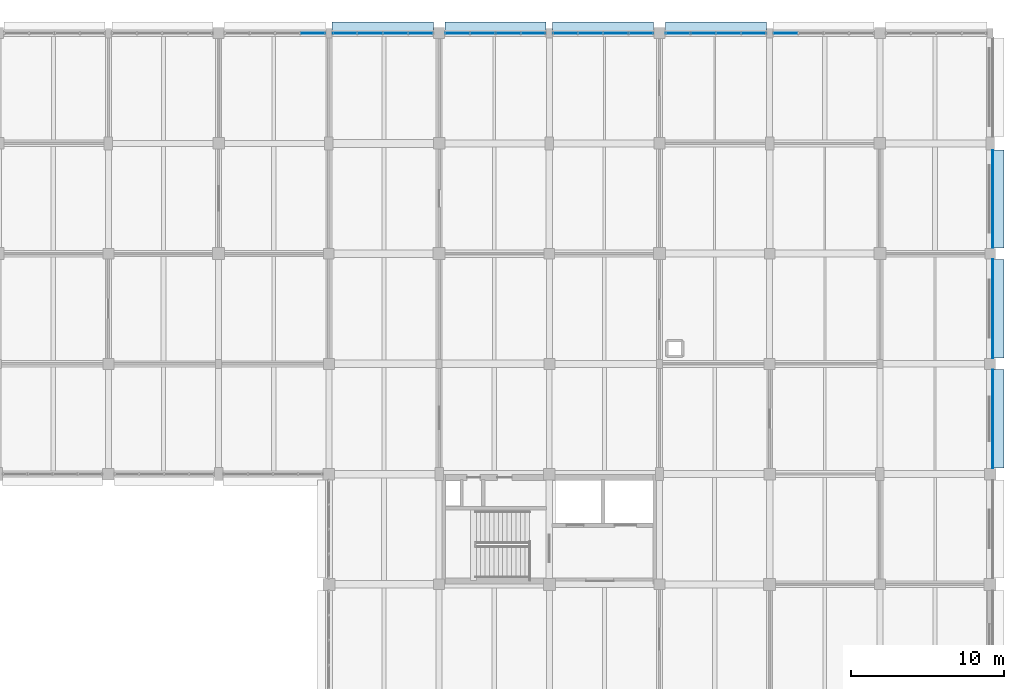
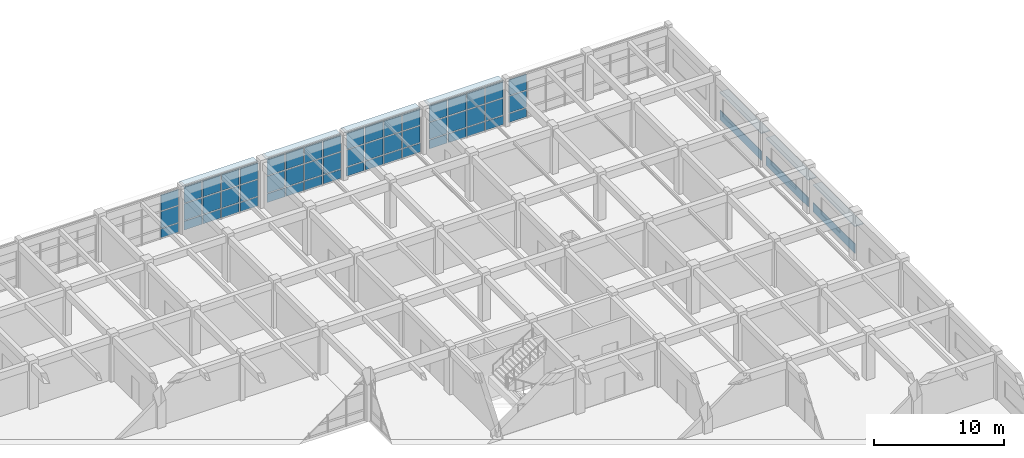
# One storey, part 145 of 171: 64 plates, 6 elements without a shape of their own.
"""IFC4 building model written with IfcOpenShell, lengths in metres."""

from ifc_helpers import new_model, si_unit, direction, frame, origin, origin_2d, place, context, subcontext, project, spatial, rectangle, extrude, material, layer, layer_set, type_object, element, aggregate, save


model = new_model("IFC4")

# Units and contexts
model_context = context("Model", 3, precision=1e-05, world=origin(), true_north=direction((0.0, 1.0)))
body_context = subcontext(model_context, "Body", "Model", "MODEL_VIEW")
ifc_project = project(units=[si_unit("LENGTHUNIT", "METRE"), si_unit("AREAUNIT", "SQUARE_METRE"), si_unit("VOLUMEUNIT", "CUBIC_METRE"), si_unit("PLANEANGLEUNIT", "RADIAN"), si_unit("MASSUNIT", "GRAM", prefix="KILO")], contexts=[model_context])

# Site, building, storey
site_placement = place(None, origin())
site = spatial("IfcSite", under=ifc_project, at=site_placement, CompositionType="ELEMENT")
building_placement = place(site_placement, origin())
building = spatial("IfcBuilding", under=site, at=building_placement, Name="Thalmaran Polytechnic", CompositionType="ELEMENT")
storey_placement = place(building_placement, frame((0.0, 0.0, 5.39990234375)))
storey = spatial("IfcBuildingStorey", under=building, at=storey_placement, Name="L01", CompositionType="ELEMENT", Elevation=5.39990234375)

# Plates
ifc_material_1 = material(Name="Anodised aluminium spandrel band", Category="aluminium")
ifc_layer_1 = layer(ifc_material_1, 0.054931640625, Name="Anodised aluminium spandrel band")
ifc_layer_set_1 = layer_set([ifc_layer_1], Name="Anodised aluminium spandrel band")
plate_type_1 = type_object("IfcPlateType", Name="PT-BD01", PredefinedType="SHEET", material=ifc_layer_set_1)
plate_1_placement = place(storey_placement, frame((172.97998046875, 111.5625, 0.020263671875), z_axis=(0.0, 0.0, 1.0), x_axis=(0.0, -1.0, 0.0)))
element("IfcPlate", 1, at=plate_1_placement, inside=storey, type_object=plate_type_1, Name="Streamline Horizontal Spandrel Band L01-053", PredefinedType="SHEET", context=body_context, shape_type="SweptSolid", body=[
    extrude(rectangle(XDim=6.385009765625, YDim=0.054931640625, at=origin_2d()), origin(), (0.0, 0.0, 1.0), 0.8798828125),
])
plate_2_placement = place(storey_placement, frame((172.97998046875, 104.405029296875, 0.020263671875), z_axis=(0.0, 0.0, 1.0), x_axis=(0.0, -1.0, 0.0)))
element("IfcPlate", 2, at=plate_2_placement, inside=storey, type_object=plate_type_1, Name="Streamline Horizontal Spandrel Band L01-054", PredefinedType="SHEET", context=body_context, shape_type="SweptSolid", body=[
    extrude(rectangle(XDim=6.449951171875, YDim=0.054931640625, at=origin_2d()), origin(), (0.0, 0.0, 1.0), 0.8798828125),
])
plate_3_placement = place(storey_placement, frame((172.97998046875, 97.20751953125, 0.020263671875), z_axis=(0.0, 0.0, 1.0), x_axis=(0.0, -1.0, 0.0)))
element("IfcPlate", 3, at=plate_3_placement, inside=storey, type_object=plate_type_1, Name="Streamline Horizontal Spandrel Band L01-055", PredefinedType="SHEET", context=body_context, shape_type="SweptSolid", body=[
    extrude(rectangle(XDim=6.425048828125, YDim=0.054931640625, at=origin_2d()), origin(), (0.0, 0.0, 1.0), 0.8798828125),
])
ifc_material_2 = material(Name="Anodised aluminium sun-hood eyebrow", Category="aluminium")
ifc_layer_2 = layer(ifc_material_2, 0.0849609375, Name="Anodised aluminium sun-hood eyebrow")
ifc_layer_set_2 = layer_set([ifc_layer_2], Name="Anodised aluminium sun-hood eyebrow")
plate_type_2 = type_object("IfcPlateType", Name="PT-EB01", PredefinedType="SHEET", material=ifc_layer_set_2)
for number, where, z_axis, x_axis, name in (
    (4, (133.1201171875, 122.760009765625, 4.107666015625), (0.0, 0.0, 1.0), (1.0, 0.0, 0.0), "Streamline Sun-Hood Eyebrow L01-CW097"),
    (5, (140.47998046875, 122.760009765625, 4.107666015625), (0.0, 0.0, 1.0), (1.0, 0.0, 0.0), "Streamline Sun-Hood Eyebrow L01-CW098"),
    (6, (147.52001953125, 122.760009765625, 4.107666015625), (0.0, 0.0, 1.0), (1.0, 0.0, 0.0), "Streamline Sun-Hood Eyebrow L01-CW099"),
    (7, (154.8798828125, 122.760009765625, 4.107666015625), (0.0, 0.0, 1.0), (1.0, 0.0, 0.0), "Streamline Sun-Hood Eyebrow L01-CW100"),
):
    element("IfcPlate", number, at=place(storey_placement, frame(where, z_axis=z_axis, x_axis=x_axis)), inside=storey, type_object=plate_type_2, Name=name, PredefinedType="SHEET", context=body_context, shape_type="SweptSolid", body=[
        extrude(rectangle(XDim=6.60009765625, YDim=0.760009765625, at=origin_2d()), origin(), (0.0, 0.0, 1.0), 0.0849609375),
    ])
plate_4_placement = place(storey_placement, frame((173.324951171875, 111.5625, 2.517578125), z_axis=(0.0, 0.0, 1.0), x_axis=(0.0, -1.0, 0.0)))
element("IfcPlate", 8, at=plate_4_placement, inside=storey, type_object=plate_type_2, Name="Streamline Sun-Hood Eyebrow L01-053", PredefinedType="SHEET", context=body_context, shape_type="SweptSolid", body=[
    extrude(rectangle(XDim=6.385009765625, YDim=0.760009765625, at=origin_2d()), origin(), (0.0, 0.0, 1.0), 0.0849609375),
])
plate_5_placement = place(storey_placement, frame((173.324951171875, 104.405029296875, 2.517578125), z_axis=(0.0, 0.0, 1.0), x_axis=(0.0, -1.0, 0.0)))
element("IfcPlate", 9, at=plate_5_placement, inside=storey, type_object=plate_type_2, Name="Streamline Sun-Hood Eyebrow L01-054", PredefinedType="SHEET", context=body_context, shape_type="SweptSolid", body=[
    extrude(rectangle(XDim=6.449951171875, YDim=0.760009765625, at=origin_2d()), origin(), (0.0, 0.0, 1.0), 0.0849609375),
])
plate_6_placement = place(storey_placement, frame((173.324951171875, 97.20751953125, 2.517578125), z_axis=(0.0, 0.0, 1.0), x_axis=(0.0, -1.0, 0.0)))
element("IfcPlate", 10, at=plate_6_placement, inside=storey, type_object=plate_type_2, Name="Streamline Sun-Hood Eyebrow L01-055", PredefinedType="SHEET", context=body_context, shape_type="SweptSolid", body=[
    extrude(rectangle(XDim=6.425048828125, YDim=0.760009765625, at=origin_2d()), origin(), (0.0, 0.0, 1.0), 0.0849609375),
])

# Curtain wall, plates
ifc_material_3 = material(Name="Aluminium 6063-T6", Category="aluminium")
curtain_wall_type = type_object("IfcCurtainWallType", Name="CW-UC02", PredefinedType="USERDEFINED", material=ifc_material_3)
curtain_wall_1_placement = place(storey_placement, origin())
curtain_wall_1 = element("IfcCurtainWall", 11, at=curtain_wall_1_placement, inside=storey, type_object=curtain_wall_type, Name="Curtain Wall CW-L01-100", ObjectType="UNITISED CURTAIN WALL", PredefinedType="USERDEFINED")
ifc_material_4 = material(Name="Solar-control double low-E glass", Category="glass")
ifc_layer_3 = layer(ifc_material_4, 0.035888671875, Name="Solar-control double low-E glass")
ifc_layer_set_3 = layer_set([ifc_layer_3], Name="Solar-control double low-E glass")
plate_type_3 = type_object("IfcPlateType", Name="PT-GL01", PredefinedType="CURTAIN_PANEL", material=ifc_layer_set_3)
plate_7_placement = place(storey_placement, frame((152.389892578125, 122.39990234375, 1.000244140625), z_axis=(0.0, 0.0, 1.0), x_axis=(1.0, 0.0, 0.0)))
plate_7 = element("IfcPlate", 12, at=plate_7_placement, type_object=plate_type_3, Name="CW-L01-100 Vision Panel 1-2", PredefinedType="CURTAIN_PANEL", context=body_context, shape_type="SweptSolid", body=[
    extrude(rectangle(XDim=1.56005859375, YDim=0.035888671875, at=origin_2d()), origin(), (0.0, 0.0, 1.0), 1.544921875),
])
plate_8_placement = place(storey_placement, frame((152.389892578125, 122.39990234375, 2.625), z_axis=(0.0, 0.0, 1.0), x_axis=(1.0, 0.0, 0.0)))
plate_8 = element("IfcPlate", 13, at=plate_8_placement, type_object=plate_type_3, Name="CW-L01-100 Vision Panel 1-3", PredefinedType="CURTAIN_PANEL", context=body_context, shape_type="SweptSolid", body=[
    extrude(rectangle(XDim=1.56005859375, YDim=0.035888671875, at=origin_2d()), origin(), (0.0, 0.0, 1.0), 1.485107421875),
])
plate_9_placement = place(storey_placement, frame((154.050048828125, 122.39990234375, 1.000244140625), z_axis=(0.0, 0.0, 1.0), x_axis=(1.0, 0.0, 0.0)))
plate_9 = element("IfcPlate", 14, at=plate_9_placement, type_object=plate_type_3, Name="CW-L01-100 Vision Panel 2-2", PredefinedType="CURTAIN_PANEL", context=body_context, shape_type="SweptSolid", body=[
    extrude(rectangle(XDim=1.56005859375, YDim=0.035888671875, at=origin_2d()), origin(), (0.0, 0.0, 1.0), 1.544921875),
])
plate_10_placement = place(storey_placement, frame((154.050048828125, 122.39990234375, 2.625), z_axis=(0.0, 0.0, 1.0), x_axis=(1.0, 0.0, 0.0)))
plate_10 = element("IfcPlate", 15, at=plate_10_placement, type_object=plate_type_3, Name="CW-L01-100 Vision Panel 2-3", PredefinedType="CURTAIN_PANEL", context=body_context, shape_type="SweptSolid", body=[
    extrude(rectangle(XDim=1.56005859375, YDim=0.035888671875, at=origin_2d()), origin(), (0.0, 0.0, 1.0), 1.485107421875),
])
plate_11_placement = place(storey_placement, frame((155.7099609375, 122.39990234375, 1.000244140625), z_axis=(0.0, 0.0, 1.0), x_axis=(1.0, 0.0, 0.0)))
plate_11 = element("IfcPlate", 16, at=plate_11_placement, type_object=plate_type_3, Name="CW-L01-100 Vision Panel 3-2", PredefinedType="CURTAIN_PANEL", context=body_context, shape_type="SweptSolid", body=[
    extrude(rectangle(XDim=1.56005859375, YDim=0.035888671875, at=origin_2d()), origin(), (0.0, 0.0, 1.0), 1.544921875),
])
plate_12_placement = place(storey_placement, frame((155.7099609375, 122.39990234375, 2.625), z_axis=(0.0, 0.0, 1.0), x_axis=(1.0, 0.0, 0.0)))
plate_12 = element("IfcPlate", 17, at=plate_12_placement, type_object=plate_type_3, Name="CW-L01-100 Vision Panel 3-3", PredefinedType="CURTAIN_PANEL", context=body_context, shape_type="SweptSolid", body=[
    extrude(rectangle(XDim=1.56005859375, YDim=0.035888671875, at=origin_2d()), origin(), (0.0, 0.0, 1.0), 1.485107421875),
])
plate_13_placement = place(storey_placement, frame((157.3701171875, 122.39990234375, 1.000244140625), z_axis=(0.0, 0.0, 1.0), x_axis=(1.0, 0.0, 0.0)))
plate_13 = element("IfcPlate", 18, at=plate_13_placement, type_object=plate_type_3, Name="CW-L01-100 Vision Panel 4-2", PredefinedType="CURTAIN_PANEL", context=body_context, shape_type="SweptSolid", body=[
    extrude(rectangle(XDim=1.56005859375, YDim=0.035888671875, at=origin_2d()), origin(), (0.0, 0.0, 1.0), 1.544921875),
])
plate_14_placement = place(storey_placement, frame((157.3701171875, 122.39990234375, 2.625), z_axis=(0.0, 0.0, 1.0), x_axis=(1.0, 0.0, 0.0)))
plate_14 = element("IfcPlate", 19, at=plate_14_placement, type_object=plate_type_3, Name="CW-L01-100 Vision Panel 4-3", PredefinedType="CURTAIN_PANEL", context=body_context, shape_type="SweptSolid", body=[
    extrude(rectangle(XDim=1.56005859375, YDim=0.035888671875, at=origin_2d()), origin(), (0.0, 0.0, 1.0), 1.485107421875),
])

curtain_wall_2_placement = place(storey_placement, origin())
curtain_wall_2 = element("IfcCurtainWall", 20, at=curtain_wall_2_placement, inside=storey, type_object=curtain_wall_type, Name="Curtain Wall CW-L01-096", ObjectType="UNITISED CURTAIN WALL", PredefinedType="USERDEFINED")
ifc_layer_4 = layer(ifc_material_4, 0.035888671875, Name="Solar-control double low-E glass")
ifc_layer_set_4 = layer_set([ifc_layer_4], Name="Solar-control double low-E glass")
plate_type_4 = type_object("IfcPlateType", Name="PT-GL02", PredefinedType="CURTAIN_PANEL", material=ifc_layer_set_4)
plate_15_placement = place(storey_placement, frame((128.570068359375, 122.39990234375, 1.000244140625), z_axis=(0.0, 0.0, 1.0), x_axis=(1.0, 0.0, 0.0)))
plate_15 = element("IfcPlate", 21, at=plate_15_placement, type_object=plate_type_4, Name="CW-L01-096 Vision Panel 4-2", PredefinedType="CURTAIN_PANEL", context=body_context, shape_type="SweptSolid", body=[
    extrude(rectangle(XDim=1.56005859375, YDim=0.035888671875, at=origin_2d()), origin(), (0.0, 0.0, 1.0), 1.544921875),
])
plate_16_placement = place(storey_placement, frame((128.570068359375, 122.39990234375, 2.625), z_axis=(0.0, 0.0, 1.0), x_axis=(1.0, 0.0, 0.0)))
plate_16 = element("IfcPlate", 22, at=plate_16_placement, type_object=plate_type_4, Name="CW-L01-096 Vision Panel 4-3", PredefinedType="CURTAIN_PANEL", context=body_context, shape_type="SweptSolid", body=[
    extrude(rectangle(XDim=1.56005859375, YDim=0.035888671875, at=origin_2d()), origin(), (0.0, 0.0, 1.0), 1.485107421875),
])

curtain_wall_3_placement = place(storey_placement, origin())
curtain_wall_3 = element("IfcCurtainWall", 23, at=curtain_wall_3_placement, inside=storey, type_object=curtain_wall_type, Name="Curtain Wall CW-L01-101", ObjectType="UNITISED CURTAIN WALL", PredefinedType="USERDEFINED")
plate_17_placement = place(storey_placement, frame((159.429931640625, 122.39990234375, 1.000244140625), z_axis=(0.0, 0.0, 1.0), x_axis=(1.0, 0.0, 0.0)))
plate_17 = element("IfcPlate", 24, at=plate_17_placement, type_object=plate_type_4, Name="CW-L01-101 Vision Panel 1-2", PredefinedType="CURTAIN_PANEL", context=body_context, shape_type="SweptSolid", body=[
    extrude(rectangle(XDim=1.56005859375, YDim=0.035888671875, at=origin_2d()), origin(), (0.0, 0.0, 1.0), 1.544921875),
])
plate_18_placement = place(storey_placement, frame((159.429931640625, 122.39990234375, 2.625), z_axis=(0.0, 0.0, 1.0), x_axis=(1.0, 0.0, 0.0)))
plate_18 = element("IfcPlate", 25, at=plate_18_placement, type_object=plate_type_4, Name="CW-L01-101 Vision Panel 1-3", PredefinedType="CURTAIN_PANEL", context=body_context, shape_type="SweptSolid", body=[
    extrude(rectangle(XDim=1.56005859375, YDim=0.035888671875, at=origin_2d()), origin(), (0.0, 0.0, 1.0), 1.485107421875),
])

curtain_wall_4_placement = place(storey_placement, origin())
curtain_wall_4 = element("IfcCurtainWall", 26, at=curtain_wall_4_placement, inside=storey, type_object=curtain_wall_type, Name="Curtain Wall CW-L01-097", ObjectType="UNITISED CURTAIN WALL", PredefinedType="USERDEFINED")
ifc_layer_5 = layer(ifc_material_4, 0.035888671875, Name="Solar-control double low-E glass")
ifc_layer_set_5 = layer_set([ifc_layer_5], Name="Solar-control double low-E glass")
plate_type_5 = type_object("IfcPlateType", Name="PT-GL03", PredefinedType="CURTAIN_PANEL", material=ifc_layer_set_5)
plate_19_placement = place(storey_placement, frame((130.6298828125, 122.39990234375, 1.000244140625), z_axis=(0.0, 0.0, 1.0), x_axis=(1.0, 0.0, 0.0)))
plate_19 = element("IfcPlate", 27, at=plate_19_placement, type_object=plate_type_5, Name="CW-L01-097 Vision Panel 1-2", PredefinedType="CURTAIN_PANEL", context=body_context, shape_type="SweptSolid", body=[
    extrude(rectangle(XDim=1.56005859375, YDim=0.035888671875, at=origin_2d()), origin(), (0.0, 0.0, 1.0), 1.544921875),
])
plate_20_placement = place(storey_placement, frame((130.6298828125, 122.39990234375, 2.625), z_axis=(0.0, 0.0, 1.0), x_axis=(1.0, 0.0, 0.0)))
plate_20 = element("IfcPlate", 28, at=plate_20_placement, type_object=plate_type_5, Name="CW-L01-097 Vision Panel 1-3", PredefinedType="CURTAIN_PANEL", context=body_context, shape_type="SweptSolid", body=[
    extrude(rectangle(XDim=1.56005859375, YDim=0.035888671875, at=origin_2d()), origin(), (0.0, 0.0, 1.0), 1.485107421875),
])
plate_21_placement = place(storey_placement, frame((132.2900390625, 122.39990234375, 1.000244140625), z_axis=(0.0, 0.0, 1.0), x_axis=(1.0, 0.0, 0.0)))
plate_21 = element("IfcPlate", 29, at=plate_21_placement, type_object=plate_type_5, Name="CW-L01-097 Vision Panel 2-2", PredefinedType="CURTAIN_PANEL", context=body_context, shape_type="SweptSolid", body=[
    extrude(rectangle(XDim=1.56005859375, YDim=0.035888671875, at=origin_2d()), origin(), (0.0, 0.0, 1.0), 1.544921875),
])
plate_22_placement = place(storey_placement, frame((132.2900390625, 122.39990234375, 2.625), z_axis=(0.0, 0.0, 1.0), x_axis=(1.0, 0.0, 0.0)))
plate_22 = element("IfcPlate", 30, at=plate_22_placement, type_object=plate_type_5, Name="CW-L01-097 Vision Panel 2-3", PredefinedType="CURTAIN_PANEL", context=body_context, shape_type="SweptSolid", body=[
    extrude(rectangle(XDim=1.56005859375, YDim=0.035888671875, at=origin_2d()), origin(), (0.0, 0.0, 1.0), 1.485107421875),
])
plate_23_placement = place(storey_placement, frame((133.949951171875, 122.39990234375, 1.000244140625), z_axis=(0.0, 0.0, 1.0), x_axis=(1.0, 0.0, 0.0)))
plate_23 = element("IfcPlate", 31, at=plate_23_placement, type_object=plate_type_5, Name="CW-L01-097 Vision Panel 3-2", PredefinedType="CURTAIN_PANEL", context=body_context, shape_type="SweptSolid", body=[
    extrude(rectangle(XDim=1.56005859375, YDim=0.035888671875, at=origin_2d()), origin(), (0.0, 0.0, 1.0), 1.544921875),
])
plate_24_placement = place(storey_placement, frame((133.949951171875, 122.39990234375, 2.625), z_axis=(0.0, 0.0, 1.0), x_axis=(1.0, 0.0, 0.0)))
plate_24 = element("IfcPlate", 32, at=plate_24_placement, type_object=plate_type_5, Name="CW-L01-097 Vision Panel 3-3", PredefinedType="CURTAIN_PANEL", context=body_context, shape_type="SweptSolid", body=[
    extrude(rectangle(XDim=1.56005859375, YDim=0.035888671875, at=origin_2d()), origin(), (0.0, 0.0, 1.0), 1.485107421875),
])
plate_25_placement = place(storey_placement, frame((135.610107421875, 122.39990234375, 1.000244140625), z_axis=(0.0, 0.0, 1.0), x_axis=(1.0, 0.0, 0.0)))
plate_25 = element("IfcPlate", 33, at=plate_25_placement, type_object=plate_type_5, Name="CW-L01-097 Vision Panel 4-2", PredefinedType="CURTAIN_PANEL", context=body_context, shape_type="SweptSolid", body=[
    extrude(rectangle(XDim=1.56005859375, YDim=0.035888671875, at=origin_2d()), origin(), (0.0, 0.0, 1.0), 1.544921875),
])
plate_26_placement = place(storey_placement, frame((135.610107421875, 122.39990234375, 2.625), z_axis=(0.0, 0.0, 1.0), x_axis=(1.0, 0.0, 0.0)))
plate_26 = element("IfcPlate", 34, at=plate_26_placement, type_object=plate_type_5, Name="CW-L01-097 Vision Panel 4-3", PredefinedType="CURTAIN_PANEL", context=body_context, shape_type="SweptSolid", body=[
    extrude(rectangle(XDim=1.56005859375, YDim=0.035888671875, at=origin_2d()), origin(), (0.0, 0.0, 1.0), 1.485107421875),
])

curtain_wall_5_placement = place(storey_placement, origin())
curtain_wall_5 = element("IfcCurtainWall", 35, at=curtain_wall_5_placement, inside=storey, type_object=curtain_wall_type, Name="Curtain Wall CW-L01-098", ObjectType="UNITISED CURTAIN WALL", PredefinedType="USERDEFINED")
ifc_layer_6 = layer(ifc_material_4, 0.035888671875, Name="Solar-control double low-E glass")
ifc_layer_set_6 = layer_set([ifc_layer_6], Name="Solar-control double low-E glass")
plate_type_6 = type_object("IfcPlateType", Name="PT-GL04", PredefinedType="CURTAIN_PANEL", material=ifc_layer_set_6)
plate_27_placement = place(storey_placement, frame((137.989990234375, 122.39990234375, 1.000244140625), z_axis=(0.0, 0.0, 1.0), x_axis=(1.0, 0.0, 0.0)))
plate_27 = element("IfcPlate", 36, at=plate_27_placement, type_object=plate_type_6, Name="CW-L01-098 Vision Panel 1-2", PredefinedType="CURTAIN_PANEL", context=body_context, shape_type="SweptSolid", body=[
    extrude(rectangle(XDim=1.56005859375, YDim=0.035888671875, at=origin_2d()), origin(), (0.0, 0.0, 1.0), 1.544921875),
])
plate_28_placement = place(storey_placement, frame((137.989990234375, 122.39990234375, 2.625), z_axis=(0.0, 0.0, 1.0), x_axis=(1.0, 0.0, 0.0)))
plate_28 = element("IfcPlate", 37, at=plate_28_placement, type_object=plate_type_6, Name="CW-L01-098 Vision Panel 1-3", PredefinedType="CURTAIN_PANEL", context=body_context, shape_type="SweptSolid", body=[
    extrude(rectangle(XDim=1.56005859375, YDim=0.035888671875, at=origin_2d()), origin(), (0.0, 0.0, 1.0), 1.485107421875),
])
plate_29_placement = place(storey_placement, frame((139.64990234375, 122.39990234375, 1.000244140625), z_axis=(0.0, 0.0, 1.0), x_axis=(1.0, 0.0, 0.0)))
plate_29 = element("IfcPlate", 38, at=plate_29_placement, type_object=plate_type_6, Name="CW-L01-098 Vision Panel 2-2", PredefinedType="CURTAIN_PANEL", context=body_context, shape_type="SweptSolid", body=[
    extrude(rectangle(XDim=1.56005859375, YDim=0.035888671875, at=origin_2d()), origin(), (0.0, 0.0, 1.0), 1.544921875),
])
plate_30_placement = place(storey_placement, frame((139.64990234375, 122.39990234375, 2.625), z_axis=(0.0, 0.0, 1.0), x_axis=(1.0, 0.0, 0.0)))
plate_30 = element("IfcPlate", 39, at=plate_30_placement, type_object=plate_type_6, Name="CW-L01-098 Vision Panel 2-3", PredefinedType="CURTAIN_PANEL", context=body_context, shape_type="SweptSolid", body=[
    extrude(rectangle(XDim=1.56005859375, YDim=0.035888671875, at=origin_2d()), origin(), (0.0, 0.0, 1.0), 1.485107421875),
])
plate_31_placement = place(storey_placement, frame((141.31005859375, 122.39990234375, 1.000244140625), z_axis=(0.0, 0.0, 1.0), x_axis=(1.0, 0.0, 0.0)))
plate_31 = element("IfcPlate", 40, at=plate_31_placement, type_object=plate_type_6, Name="CW-L01-098 Vision Panel 3-2", PredefinedType="CURTAIN_PANEL", context=body_context, shape_type="SweptSolid", body=[
    extrude(rectangle(XDim=1.56005859375, YDim=0.035888671875, at=origin_2d()), origin(), (0.0, 0.0, 1.0), 1.544921875),
])
plate_32_placement = place(storey_placement, frame((141.31005859375, 122.39990234375, 2.625), z_axis=(0.0, 0.0, 1.0), x_axis=(1.0, 0.0, 0.0)))
plate_32 = element("IfcPlate", 41, at=plate_32_placement, type_object=plate_type_6, Name="CW-L01-098 Vision Panel 3-3", PredefinedType="CURTAIN_PANEL", context=body_context, shape_type="SweptSolid", body=[
    extrude(rectangle(XDim=1.56005859375, YDim=0.035888671875, at=origin_2d()), origin(), (0.0, 0.0, 1.0), 1.485107421875),
])
plate_33_placement = place(storey_placement, frame((142.969970703125, 122.39990234375, 1.000244140625), z_axis=(0.0, 0.0, 1.0), x_axis=(1.0, 0.0, 0.0)))
plate_33 = element("IfcPlate", 42, at=plate_33_placement, type_object=plate_type_6, Name="CW-L01-098 Vision Panel 4-2", PredefinedType="CURTAIN_PANEL", context=body_context, shape_type="SweptSolid", body=[
    extrude(rectangle(XDim=1.56005859375, YDim=0.035888671875, at=origin_2d()), origin(), (0.0, 0.0, 1.0), 1.544921875),
])
plate_34_placement = place(storey_placement, frame((142.969970703125, 122.39990234375, 2.625), z_axis=(0.0, 0.0, 1.0), x_axis=(1.0, 0.0, 0.0)))
plate_34 = element("IfcPlate", 43, at=plate_34_placement, type_object=plate_type_6, Name="CW-L01-098 Vision Panel 4-3", PredefinedType="CURTAIN_PANEL", context=body_context, shape_type="SweptSolid", body=[
    extrude(rectangle(XDim=1.56005859375, YDim=0.035888671875, at=origin_2d()), origin(), (0.0, 0.0, 1.0), 1.485107421875),
])

curtain_wall_6_placement = place(storey_placement, origin())
curtain_wall_6 = element("IfcCurtainWall", 44, at=curtain_wall_6_placement, inside=storey, type_object=curtain_wall_type, Name="Curtain Wall CW-L01-099", ObjectType="UNITISED CURTAIN WALL", PredefinedType="USERDEFINED")
ifc_layer_7 = layer(ifc_material_4, 0.035888671875, Name="Solar-control double low-E glass")
ifc_layer_set_7 = layer_set([ifc_layer_7], Name="Solar-control double low-E glass")
plate_type_7 = type_object("IfcPlateType", Name="PT-GL05", PredefinedType="CURTAIN_PANEL", material=ifc_layer_set_7)
plate_35_placement = place(storey_placement, frame((145.030029296875, 122.39990234375, 1.000244140625), z_axis=(0.0, 0.0, 1.0), x_axis=(1.0, 0.0, 0.0)))
plate_35 = element("IfcPlate", 45, at=plate_35_placement, type_object=plate_type_7, Name="CW-L01-099 Vision Panel 1-2", PredefinedType="CURTAIN_PANEL", context=body_context, shape_type="SweptSolid", body=[
    extrude(rectangle(XDim=1.56005859375, YDim=0.035888671875, at=origin_2d()), origin(), (0.0, 0.0, 1.0), 1.544921875),
])
plate_36_placement = place(storey_placement, frame((145.030029296875, 122.39990234375, 2.625), z_axis=(0.0, 0.0, 1.0), x_axis=(1.0, 0.0, 0.0)))
plate_36 = element("IfcPlate", 46, at=plate_36_placement, type_object=plate_type_7, Name="CW-L01-099 Vision Panel 1-3", PredefinedType="CURTAIN_PANEL", context=body_context, shape_type="SweptSolid", body=[
    extrude(rectangle(XDim=1.56005859375, YDim=0.035888671875, at=origin_2d()), origin(), (0.0, 0.0, 1.0), 1.485107421875),
])
plate_37_placement = place(storey_placement, frame((146.68994140625, 122.39990234375, 1.000244140625), z_axis=(0.0, 0.0, 1.0), x_axis=(1.0, 0.0, 0.0)))
plate_37 = element("IfcPlate", 47, at=plate_37_placement, type_object=plate_type_7, Name="CW-L01-099 Vision Panel 2-2", PredefinedType="CURTAIN_PANEL", context=body_context, shape_type="SweptSolid", body=[
    extrude(rectangle(XDim=1.56005859375, YDim=0.035888671875, at=origin_2d()), origin(), (0.0, 0.0, 1.0), 1.544921875),
])
plate_38_placement = place(storey_placement, frame((146.68994140625, 122.39990234375, 2.625), z_axis=(0.0, 0.0, 1.0), x_axis=(1.0, 0.0, 0.0)))
plate_38 = element("IfcPlate", 48, at=plate_38_placement, type_object=plate_type_7, Name="CW-L01-099 Vision Panel 2-3", PredefinedType="CURTAIN_PANEL", context=body_context, shape_type="SweptSolid", body=[
    extrude(rectangle(XDim=1.56005859375, YDim=0.035888671875, at=origin_2d()), origin(), (0.0, 0.0, 1.0), 1.485107421875),
])
plate_39_placement = place(storey_placement, frame((148.35009765625, 122.39990234375, 1.000244140625), z_axis=(0.0, 0.0, 1.0), x_axis=(1.0, 0.0, 0.0)))
plate_39 = element("IfcPlate", 49, at=plate_39_placement, type_object=plate_type_7, Name="CW-L01-099 Vision Panel 3-2", PredefinedType="CURTAIN_PANEL", context=body_context, shape_type="SweptSolid", body=[
    extrude(rectangle(XDim=1.56005859375, YDim=0.035888671875, at=origin_2d()), origin(), (0.0, 0.0, 1.0), 1.544921875),
])
plate_40_placement = place(storey_placement, frame((148.35009765625, 122.39990234375, 2.625), z_axis=(0.0, 0.0, 1.0), x_axis=(1.0, 0.0, 0.0)))
plate_40 = element("IfcPlate", 50, at=plate_40_placement, type_object=plate_type_7, Name="CW-L01-099 Vision Panel 3-3", PredefinedType="CURTAIN_PANEL", context=body_context, shape_type="SweptSolid", body=[
    extrude(rectangle(XDim=1.56005859375, YDim=0.035888671875, at=origin_2d()), origin(), (0.0, 0.0, 1.0), 1.485107421875),
])
plate_41_placement = place(storey_placement, frame((150.010009765625, 122.39990234375, 1.000244140625), z_axis=(0.0, 0.0, 1.0), x_axis=(1.0, 0.0, 0.0)))
plate_41 = element("IfcPlate", 51, at=plate_41_placement, type_object=plate_type_7, Name="CW-L01-099 Vision Panel 4-2", PredefinedType="CURTAIN_PANEL", context=body_context, shape_type="SweptSolid", body=[
    extrude(rectangle(XDim=1.56005859375, YDim=0.035888671875, at=origin_2d()), origin(), (0.0, 0.0, 1.0), 1.544921875),
])
plate_42_placement = place(storey_placement, frame((150.010009765625, 122.39990234375, 2.625), z_axis=(0.0, 0.0, 1.0), x_axis=(1.0, 0.0, 0.0)))
plate_42 = element("IfcPlate", 52, at=plate_42_placement, type_object=plate_type_7, Name="CW-L01-099 Vision Panel 4-3", PredefinedType="CURTAIN_PANEL", context=body_context, shape_type="SweptSolid", body=[
    extrude(rectangle(XDim=1.56005859375, YDim=0.035888671875, at=origin_2d()), origin(), (0.0, 0.0, 1.0), 1.485107421875),
])

# Plate
ifc_material_5 = material(Name="Insulated anodised aluminium spandrel", Category="aluminium")
ifc_layer_8 = layer(ifc_material_5, 0.06005859375, Name="Insulated anodised aluminium spandrel")
ifc_layer_set_8 = layer_set([ifc_layer_8], Name="Insulated anodised aluminium spandrel")
plate_type_8 = type_object("IfcPlateType", Name="PT-SP01", PredefinedType="CURTAIN_PANEL", material=ifc_layer_set_8)
plate_43_placement = place(storey_placement, frame((128.570068359375, 122.39990234375, 0.10009765625), z_axis=(0.0, 0.0, 1.0), x_axis=(1.0, 0.0, 0.0)))
plate_43 = element("IfcPlate", 53, at=plate_43_placement, type_object=plate_type_8, Name="CW-L01-096 Spandrel Panel 4-1", PredefinedType="CURTAIN_PANEL", context=body_context, shape_type="SweptSolid", body=[
    extrude(rectangle(XDim=1.56005859375, YDim=0.06005859375, at=origin_2d()), origin(), (0.0, 0.0, 1.0), 0.820068359375),
])

aggregate(curtain_wall_2, [plate_43, plate_15, plate_16])

plate_44_placement = place(storey_placement, frame((145.030029296875, 122.39990234375, 0.10009765625), z_axis=(0.0, 0.0, 1.0), x_axis=(1.0, 0.0, 0.0)))
plate_44 = element("IfcPlate", 54, at=plate_44_placement, type_object=plate_type_8, Name="CW-L01-099 Spandrel Panel 1-1", PredefinedType="CURTAIN_PANEL", context=body_context, shape_type="SweptSolid", body=[
    extrude(rectangle(XDim=1.56005859375, YDim=0.06005859375, at=origin_2d()), origin(), (0.0, 0.0, 1.0), 0.820068359375),
])

plate_45_placement = place(storey_placement, frame((146.68994140625, 122.39990234375, 0.10009765625), z_axis=(0.0, 0.0, 1.0), x_axis=(1.0, 0.0, 0.0)))
plate_45 = element("IfcPlate", 55, at=plate_45_placement, type_object=plate_type_8, Name="CW-L01-099 Spandrel Panel 2-1", PredefinedType="CURTAIN_PANEL", context=body_context, shape_type="SweptSolid", body=[
    extrude(rectangle(XDim=1.56005859375, YDim=0.06005859375, at=origin_2d()), origin(), (0.0, 0.0, 1.0), 0.820068359375),
])

plate_46_placement = place(storey_placement, frame((148.35009765625, 122.39990234375, 0.10009765625), z_axis=(0.0, 0.0, 1.0), x_axis=(1.0, 0.0, 0.0)))
plate_46 = element("IfcPlate", 56, at=plate_46_placement, type_object=plate_type_8, Name="CW-L01-099 Spandrel Panel 3-1", PredefinedType="CURTAIN_PANEL", context=body_context, shape_type="SweptSolid", body=[
    extrude(rectangle(XDim=1.56005859375, YDim=0.06005859375, at=origin_2d()), origin(), (0.0, 0.0, 1.0), 0.820068359375),
])

plate_47_placement = place(storey_placement, frame((150.010009765625, 122.39990234375, 0.10009765625), z_axis=(0.0, 0.0, 1.0), x_axis=(1.0, 0.0, 0.0)))
plate_47 = element("IfcPlate", 57, at=plate_47_placement, type_object=plate_type_8, Name="CW-L01-099 Spandrel Panel 4-1", PredefinedType="CURTAIN_PANEL", context=body_context, shape_type="SweptSolid", body=[
    extrude(rectangle(XDim=1.56005859375, YDim=0.06005859375, at=origin_2d()), origin(), (0.0, 0.0, 1.0), 0.820068359375),
])

aggregate(curtain_wall_6, [plate_44, plate_35, plate_36, plate_45, plate_37, plate_38, plate_46, plate_39, plate_40, plate_47, plate_41, plate_42])

ifc_layer_9 = layer(ifc_material_5, 0.06005859375, Name="Insulated anodised aluminium spandrel")
ifc_layer_set_9 = layer_set([ifc_layer_9], Name="Insulated anodised aluminium spandrel")
plate_type_9 = type_object("IfcPlateType", Name="PT-SP02", PredefinedType="CURTAIN_PANEL", material=ifc_layer_set_9)
plate_48_placement = place(storey_placement, frame((130.6298828125, 122.39990234375, 0.10009765625), z_axis=(0.0, 0.0, 1.0), x_axis=(1.0, 0.0, 0.0)))
plate_48 = element("IfcPlate", 58, at=plate_48_placement, type_object=plate_type_9, Name="CW-L01-097 Spandrel Panel 1-1", PredefinedType="CURTAIN_PANEL", context=body_context, shape_type="SweptSolid", body=[
    extrude(rectangle(XDim=1.56005859375, YDim=0.06005859375, at=origin_2d()), origin(), (0.0, 0.0, 1.0), 0.820068359375),
])

plate_49_placement = place(storey_placement, frame((132.2900390625, 122.39990234375, 0.10009765625), z_axis=(0.0, 0.0, 1.0), x_axis=(1.0, 0.0, 0.0)))
plate_49 = element("IfcPlate", 59, at=plate_49_placement, type_object=plate_type_9, Name="CW-L01-097 Spandrel Panel 2-1", PredefinedType="CURTAIN_PANEL", context=body_context, shape_type="SweptSolid", body=[
    extrude(rectangle(XDim=1.56005859375, YDim=0.06005859375, at=origin_2d()), origin(), (0.0, 0.0, 1.0), 0.820068359375),
])

plate_50_placement = place(storey_placement, frame((133.949951171875, 122.39990234375, 0.10009765625), z_axis=(0.0, 0.0, 1.0), x_axis=(1.0, 0.0, 0.0)))
plate_50 = element("IfcPlate", 60, at=plate_50_placement, type_object=plate_type_9, Name="CW-L01-097 Spandrel Panel 3-1", PredefinedType="CURTAIN_PANEL", context=body_context, shape_type="SweptSolid", body=[
    extrude(rectangle(XDim=1.56005859375, YDim=0.06005859375, at=origin_2d()), origin(), (0.0, 0.0, 1.0), 0.820068359375),
])

plate_51_placement = place(storey_placement, frame((135.610107421875, 122.39990234375, 0.10009765625), z_axis=(0.0, 0.0, 1.0), x_axis=(1.0, 0.0, 0.0)))
plate_51 = element("IfcPlate", 61, at=plate_51_placement, type_object=plate_type_9, Name="CW-L01-097 Spandrel Panel 4-1", PredefinedType="CURTAIN_PANEL", context=body_context, shape_type="SweptSolid", body=[
    extrude(rectangle(XDim=1.56005859375, YDim=0.06005859375, at=origin_2d()), origin(), (0.0, 0.0, 1.0), 0.820068359375),
])

aggregate(curtain_wall_4, [plate_48, plate_19, plate_20, plate_49, plate_21, plate_22, plate_50, plate_23, plate_24, plate_51, plate_25, plate_26])

plate_52_placement = place(storey_placement, frame((152.389892578125, 122.39990234375, 0.10009765625), z_axis=(0.0, 0.0, 1.0), x_axis=(1.0, 0.0, 0.0)))
plate_52 = element("IfcPlate", 62, at=plate_52_placement, type_object=plate_type_9, Name="CW-L01-100 Spandrel Panel 1-1", PredefinedType="CURTAIN_PANEL", context=body_context, shape_type="SweptSolid", body=[
    extrude(rectangle(XDim=1.56005859375, YDim=0.06005859375, at=origin_2d()), origin(), (0.0, 0.0, 1.0), 0.820068359375),
])

plate_53_placement = place(storey_placement, frame((154.050048828125, 122.39990234375, 0.10009765625), z_axis=(0.0, 0.0, 1.0), x_axis=(1.0, 0.0, 0.0)))
plate_53 = element("IfcPlate", 63, at=plate_53_placement, type_object=plate_type_9, Name="CW-L01-100 Spandrel Panel 2-1", PredefinedType="CURTAIN_PANEL", context=body_context, shape_type="SweptSolid", body=[
    extrude(rectangle(XDim=1.56005859375, YDim=0.06005859375, at=origin_2d()), origin(), (0.0, 0.0, 1.0), 0.820068359375),
])

plate_54_placement = place(storey_placement, frame((155.7099609375, 122.39990234375, 0.10009765625), z_axis=(0.0, 0.0, 1.0), x_axis=(1.0, 0.0, 0.0)))
plate_54 = element("IfcPlate", 64, at=plate_54_placement, type_object=plate_type_9, Name="CW-L01-100 Spandrel Panel 3-1", PredefinedType="CURTAIN_PANEL", context=body_context, shape_type="SweptSolid", body=[
    extrude(rectangle(XDim=1.56005859375, YDim=0.06005859375, at=origin_2d()), origin(), (0.0, 0.0, 1.0), 0.820068359375),
])

plate_55_placement = place(storey_placement, frame((157.3701171875, 122.39990234375, 0.10009765625), z_axis=(0.0, 0.0, 1.0), x_axis=(1.0, 0.0, 0.0)))
plate_55 = element("IfcPlate", 65, at=plate_55_placement, type_object=plate_type_9, Name="CW-L01-100 Spandrel Panel 4-1", PredefinedType="CURTAIN_PANEL", context=body_context, shape_type="SweptSolid", body=[
    extrude(rectangle(XDim=1.56005859375, YDim=0.06005859375, at=origin_2d()), origin(), (0.0, 0.0, 1.0), 0.820068359375),
])

aggregate(curtain_wall_1, [plate_52, plate_7, plate_8, plate_53, plate_9, plate_10, plate_54, plate_11, plate_12, plate_55, plate_13, plate_14])

ifc_layer_10 = layer(ifc_material_5, 0.06005859375, Name="Insulated anodised aluminium spandrel")
ifc_layer_set_10 = layer_set([ifc_layer_10], Name="Insulated anodised aluminium spandrel")
plate_type_10 = type_object("IfcPlateType", Name="PT-SP03", PredefinedType="CURTAIN_PANEL", material=ifc_layer_set_10)
plate_56_placement = place(storey_placement, frame((137.989990234375, 122.39990234375, 0.10009765625), z_axis=(0.0, 0.0, 1.0), x_axis=(1.0, 0.0, 0.0)))
plate_56 = element("IfcPlate", 66, at=plate_56_placement, type_object=plate_type_10, Name="CW-L01-098 Spandrel Panel 1-1", PredefinedType="CURTAIN_PANEL", context=body_context, shape_type="SweptSolid", body=[
    extrude(rectangle(XDim=1.56005859375, YDim=0.06005859375, at=origin_2d()), origin(), (0.0, 0.0, 1.0), 0.820068359375),
])

plate_57_placement = place(storey_placement, frame((139.64990234375, 122.39990234375, 0.10009765625), z_axis=(0.0, 0.0, 1.0), x_axis=(1.0, 0.0, 0.0)))
plate_57 = element("IfcPlate", 67, at=plate_57_placement, type_object=plate_type_10, Name="CW-L01-098 Spandrel Panel 2-1", PredefinedType="CURTAIN_PANEL", context=body_context, shape_type="SweptSolid", body=[
    extrude(rectangle(XDim=1.56005859375, YDim=0.06005859375, at=origin_2d()), origin(), (0.0, 0.0, 1.0), 0.820068359375),
])

plate_58_placement = place(storey_placement, frame((141.31005859375, 122.39990234375, 0.10009765625), z_axis=(0.0, 0.0, 1.0), x_axis=(1.0, 0.0, 0.0)))
plate_58 = element("IfcPlate", 68, at=plate_58_placement, type_object=plate_type_10, Name="CW-L01-098 Spandrel Panel 3-1", PredefinedType="CURTAIN_PANEL", context=body_context, shape_type="SweptSolid", body=[
    extrude(rectangle(XDim=1.56005859375, YDim=0.06005859375, at=origin_2d()), origin(), (0.0, 0.0, 1.0), 0.820068359375),
])

plate_59_placement = place(storey_placement, frame((142.969970703125, 122.39990234375, 0.10009765625), z_axis=(0.0, 0.0, 1.0), x_axis=(1.0, 0.0, 0.0)))
plate_59 = element("IfcPlate", 69, at=plate_59_placement, type_object=plate_type_10, Name="CW-L01-098 Spandrel Panel 4-1", PredefinedType="CURTAIN_PANEL", context=body_context, shape_type="SweptSolid", body=[
    extrude(rectangle(XDim=1.56005859375, YDim=0.06005859375, at=origin_2d()), origin(), (0.0, 0.0, 1.0), 0.820068359375),
])

aggregate(curtain_wall_5, [plate_56, plate_27, plate_28, plate_57, plate_29, plate_30, plate_58, plate_31, plate_32, plate_59, plate_33, plate_34])

plate_60_placement = place(storey_placement, frame((159.429931640625, 122.39990234375, 0.10009765625), z_axis=(0.0, 0.0, 1.0), x_axis=(1.0, 0.0, 0.0)))
plate_60 = element("IfcPlate", 70, at=plate_60_placement, type_object=plate_type_10, Name="CW-L01-101 Spandrel Panel 1-1", PredefinedType="CURTAIN_PANEL", context=body_context, shape_type="SweptSolid", body=[
    extrude(rectangle(XDim=1.56005859375, YDim=0.06005859375, at=origin_2d()), origin(), (0.0, 0.0, 1.0), 0.820068359375),
])

aggregate(curtain_wall_3, [plate_60, plate_17, plate_18])

save(model, "model.ifc")
